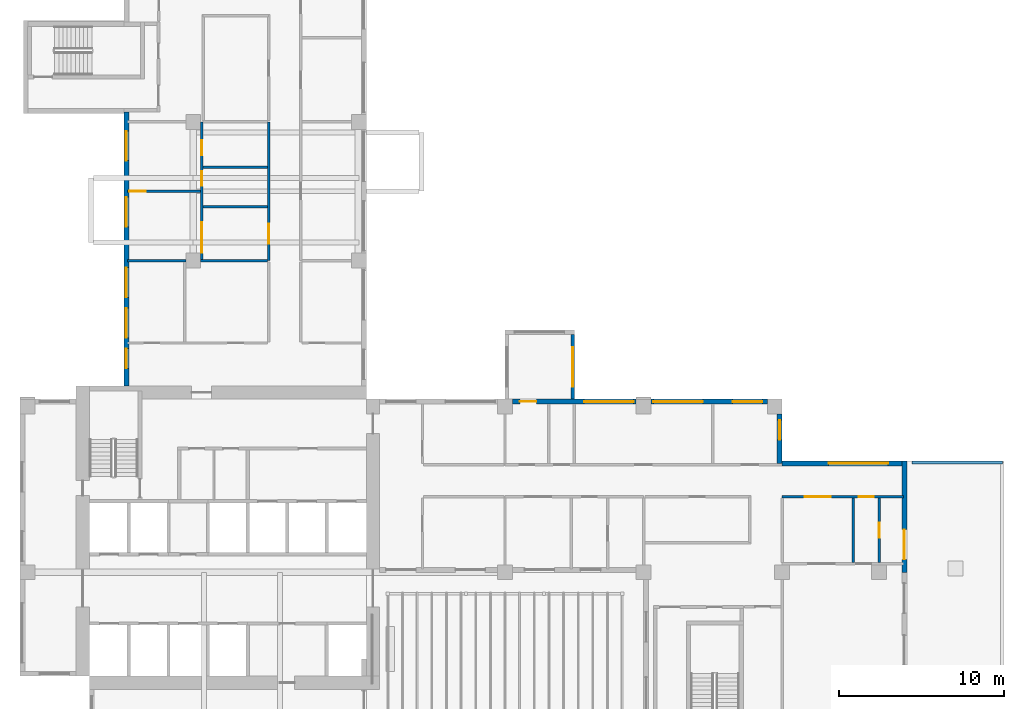
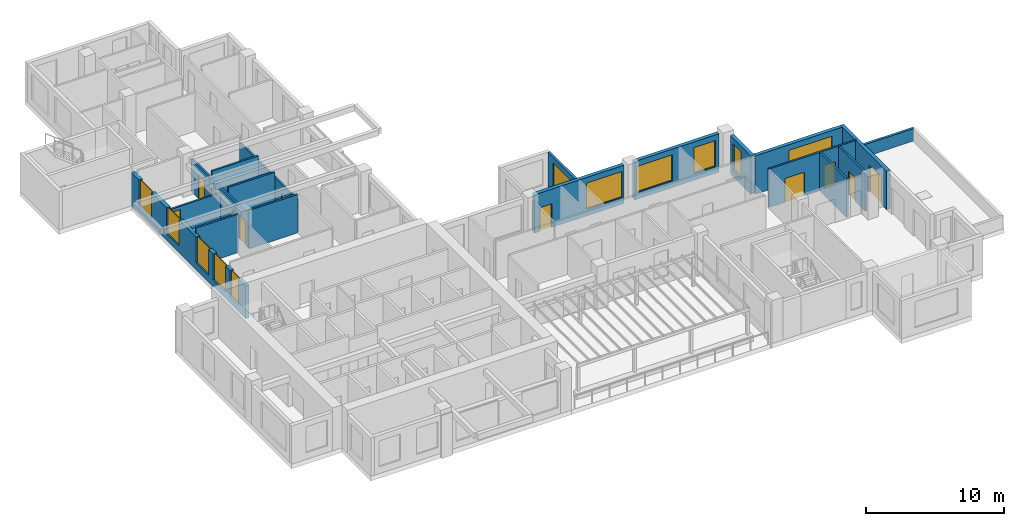
# One storey, part 7 of 13: 18 walls, 11 doors, 11 windows, 22 openings.
"""IFC4 building model written with IfcOpenShell, lengths in metres."""

from ifc_helpers import new_model, si_unit, direction, frame, frame_2d, origin, place, context, subcontext, project, spatial, rectangle, extrude, source, transform, mapped, material, layer, layer_set, type_object, element, fill, save


model = new_model("IFC4")

# Units and contexts
model_context = context("Model", 3, precision=1e-05, world=origin(), true_north=direction((0.0, 1.0)))
body_context = subcontext(model_context, "Body", "Model", "MODEL_VIEW")
ifc_project = project(units=[si_unit("LENGTHUNIT", "METRE"), si_unit("AREAUNIT", "SQUARE_METRE"), si_unit("VOLUMEUNIT", "CUBIC_METRE"), si_unit("PLANEANGLEUNIT", "RADIAN"), si_unit("MASSUNIT", "GRAM", prefix="KILO")], contexts=[model_context])

# Site, building, storey
site_placement = place(None, origin())
site = spatial("IfcSite", under=ifc_project, at=site_placement, CompositionType="ELEMENT")
building_placement = place(site_placement, origin())
building = spatial("IfcBuilding", under=site, at=building_placement, Name="Aurelian Terraces", CompositionType="ELEMENT")
storey_placement = place(building_placement, frame((0.0, 0.0, 204.4)))
storey = spatial("IfcBuildingStorey", under=building, at=storey_placement, Name="L45", CompositionType="ELEMENT", Elevation=204.4)

# Wall, opening, window
ifc_material_1 = material(Name="Terracotta rainscreen cladding", Category="masonry")
ifc_layer_1 = layer(ifc_material_1, 0.3)
ifc_layer_set_1 = layer_set([ifc_layer_1], Name="EW-300")
wall_type_1 = type_object("IfcWallType", Name="EW-300", PredefinedType="STANDARD", material=ifc_layer_set_1)
wall_1_placement = place(storey_placement, frame((53.76, 17.1, 0.0), z_axis=(0.0, 0.0, 1.0), x_axis=(-1.0, 0.0, 0.0)))
wall_1 = element("IfcWall", 1, at=wall_1_placement, inside=storey, type_object=wall_type_1, Name="External wall L45 F09.15", PredefinedType="STANDARD", context=body_context, shape_type="SweptSolid", body=[
    extrude(rectangle(XDim=7.56, YDim=0.3, at=frame_2d((3.78, 0.0))), origin(), (0.0, 0.0, 1.0), 3.4),
])
shared_shape_1 = source(origin(), body_context, "Body", "SweptSolid", [
    extrude(rectangle(XDim=3.6, YDim=2.3, at=frame_2d((1.8, 1.15))), frame((0.0, 0.16, 0.0), z_axis=(0.0, -1.0, 0.0), x_axis=(1.0, 0.0, 0.0)), (0.0, 0.0, 1.0), 0.32),
])
opening_1_placement = place(wall_1_placement, frame((1.14, 0.0, 0.6)))
opening_1 = element("IfcOpeningElement", 2, at=opening_1_placement, cuts=wall_1, Name="Opening W3623", PredefinedType="OPENING", context=body_context, shape_type="MappedRepresentation", body=[
    mapped(shared_shape_1, transform((0.0, 0.0, 0.0), scale=1.0)),
])
ifc_material_2 = material(Name="Clear glazing", Category="glass")
window_type_1 = type_object("IfcWindowType", Name="W-3600x2300", PartitioningType="SINGLE_PANEL", PredefinedType="WINDOW", material=ifc_material_2)
shared_shape_2 = source(origin(), body_context, "Body", "SweptSolid", [
    extrude(rectangle(XDim=3.6, YDim=2.3, at=frame_2d((1.8, 1.15))), frame((0.0, 0.03, 0.0), z_axis=(0.0, -1.0, 0.0), x_axis=(1.0, 0.0, 0.0)), (0.0, 0.0, 1.0), 0.06),
])
window_1_placement = place(opening_1_placement, origin())
window_1 = element("IfcWindow", 3, at=window_1_placement, inside=storey, type_object=window_type_1, Name="Window L45 L45-F09-15-0", OverallHeight=2.3, OverallWidth=3.6, PartitioningType="SINGLE_PANEL", PredefinedType="WINDOW", context=body_context, shape_type="MappedRepresentation", body=[
    mapped(shared_shape_2, transform((0.0, 0.0, 0.0), scale=1.0)),
])
fill(opening_1, window_1)

# Wall, openings, windows
wall_2_placement = place(storey_placement, frame((6.45, 38.4, 0.0), z_axis=(0.0, 0.0, 1.0), x_axis=(0.0, -1.0, 0.0)))
wall_2 = element("IfcWall", 4, at=wall_2_placement, inside=storey, type_object=wall_type_1, Name="External wall L45 F20.32", PredefinedType="STANDARD", context=body_context, shape_type="SweptSolid", body=[
    extrude(rectangle(XDim=16.6, YDim=0.3, at=frame_2d((8.3, 0.0))), origin(), (0.0, 0.0, 1.0), 2.9),
])
shared_shape_3 = source(origin(), body_context, "Body", "SweptSolid", [
    extrude(rectangle(XDim=1.8, YDim=2.3, at=frame_2d((0.9, 1.15))), frame((0.0, 0.16, 0.0), z_axis=(0.0, -1.0, 0.0), x_axis=(1.0, 0.0, 0.0)), (0.0, 0.0, 1.0), 0.32),
])
opening_2_placement = place(wall_2_placement, frame((1.15, 0.0, 0.6)))
opening_2 = element("IfcOpeningElement", 5, at=opening_2_placement, cuts=wall_2, Name="Opening W1823", PredefinedType="OPENING", context=body_context, shape_type="MappedRepresentation", body=[
    mapped(shared_shape_3, transform((0.0, 0.0, 0.0), scale=1.0)),
])
opening_3_placement = place(wall_2_placement, frame((5.1625, 0.0, 0.6)))
opening_3 = element("IfcOpeningElement", 6, at=opening_3_placement, cuts=wall_2, Name="Opening W1823", PredefinedType="OPENING", context=body_context, shape_type="MappedRepresentation", body=[
    mapped(shared_shape_3, transform((0.0, 0.0, 0.0), scale=1.0)),
])
opening_4_placement = place(wall_2_placement, frame((9.4375, 0.0, 0.6)))
opening_4 = element("IfcOpeningElement", 7, at=opening_4_placement, cuts=wall_2, Name="Opening W1823", PredefinedType="OPENING", context=body_context, shape_type="MappedRepresentation", body=[
    mapped(shared_shape_3, transform((0.0, 0.0, 0.0), scale=1.0)),
])
shared_shape_4 = source(origin(), body_context, "Body", "SweptSolid", [
    extrude(rectangle(XDim=1.2, YDim=2.3, at=frame_2d((0.6, 1.15))), frame((0.0, 0.16, 0.0), z_axis=(0.0, -1.0, 0.0), x_axis=(1.0, 0.0, 0.0)), (0.0, 0.0, 1.0), 0.32),
])
opening_5_placement = place(wall_2_placement, frame((14.3375, 0.0, 0.6)))
opening_5 = element("IfcOpeningElement", 8, at=opening_5_placement, cuts=wall_2, Name="Opening W1223", PredefinedType="OPENING", context=body_context, shape_type="MappedRepresentation", body=[
    mapped(shared_shape_4, transform((0.0, 0.0, 0.0), scale=1.0)),
])
opening_6_placement = place(wall_2_placement, frame((11.8875, 0.0, 0.6)))
opening_6 = element("IfcOpeningElement", 9, at=opening_6_placement, cuts=wall_2, Name="Opening W1823", PredefinedType="OPENING", context=body_context, shape_type="MappedRepresentation", body=[
    mapped(shared_shape_3, transform((0.0, 0.0, 0.0), scale=1.0)),
])
window_type_2 = type_object("IfcWindowType", Name="W-1200x2300", PartitioningType="SINGLE_PANEL", PredefinedType="WINDOW", material=ifc_material_2)
shared_shape_5 = source(origin(), body_context, "Body", "SweptSolid", [
    extrude(rectangle(XDim=1.2, YDim=2.3, at=frame_2d((0.6, 1.15))), frame((0.0, 0.03, 0.0), z_axis=(0.0, -1.0, 0.0), x_axis=(1.0, 0.0, 0.0)), (0.0, 0.0, 1.0), 0.06),
])
window_2_placement = place(opening_5_placement, origin())
window_2 = element("IfcWindow", 10, at=window_2_placement, inside=storey, type_object=window_type_2, Name="Window L45 L45-F20-32-3", OverallHeight=2.3, OverallWidth=1.2, PartitioningType="SINGLE_PANEL", PredefinedType="WINDOW", context=body_context, shape_type="MappedRepresentation", body=[
    mapped(shared_shape_5, transform((0.0, 0.0, 0.0), scale=1.0)),
])
fill(opening_5, window_2)
window_type_3 = type_object("IfcWindowType", Name="W-1800x2300", PartitioningType="SINGLE_PANEL", PredefinedType="WINDOW", material=ifc_material_2)
shared_shape_6 = source(origin(), body_context, "Body", "SweptSolid", [
    extrude(rectangle(XDim=1.8, YDim=2.3, at=frame_2d((0.9, 1.15))), frame((0.0, 0.03, 0.0), z_axis=(0.0, -1.0, 0.0), x_axis=(1.0, 0.0, 0.0)), (0.0, 0.0, 1.0), 0.06),
])
window_3_placement = place(opening_2_placement, origin())
window_3 = element("IfcWindow", 11, at=window_3_placement, inside=storey, type_object=window_type_3, Name="Window L45 L45-F20-32-0", OverallHeight=2.3, OverallWidth=1.8, PartitioningType="SINGLE_PANEL", PredefinedType="WINDOW", context=body_context, shape_type="MappedRepresentation", body=[
    mapped(shared_shape_6, transform((0.0, 0.0, 0.0), scale=1.0)),
])
fill(opening_2, window_3)
window_4_placement = place(opening_3_placement, origin())
window_4 = element("IfcWindow", 12, at=window_4_placement, inside=storey, type_object=window_type_3, Name="Window L45 L45-F20-32-1", OverallHeight=2.3, OverallWidth=1.8, PartitioningType="SINGLE_PANEL", PredefinedType="WINDOW", context=body_context, shape_type="MappedRepresentation", body=[
    mapped(shared_shape_6, transform((0.0, 0.0, 0.0), scale=1.0)),
])
fill(opening_3, window_4)
window_5_placement = place(opening_4_placement, origin())
window_5 = element("IfcWindow", 13, at=window_5_placement, inside=storey, type_object=window_type_3, Name="Window L45 L45-F20-32-2", OverallHeight=2.3, OverallWidth=1.8, PartitioningType="SINGLE_PANEL", PredefinedType="WINDOW", context=body_context, shape_type="MappedRepresentation", body=[
    mapped(shared_shape_6, transform((0.0, 0.0, 0.0), scale=1.0)),
])
fill(opening_4, window_5)
window_6_placement = place(opening_6_placement, origin())
window_6 = element("IfcWindow", 14, at=window_6_placement, inside=storey, type_object=window_type_3, Name="Window L45 L45-F20-32-G0-111", OverallHeight=2.3, OverallWidth=1.8, PartitioningType="SINGLE_PANEL", PredefinedType="WINDOW", context=body_context, shape_type="MappedRepresentation", body=[
    mapped(shared_shape_6, transform((0.0, 0.0, 0.0), scale=1.0)),
])
fill(opening_6, window_6)

# Wall, opening, door
ifc_material_3 = material(Name="Gypsum board on steel studs", Category="steel")
ifc_layer_2 = layer(ifc_material_3, 0.15)
ifc_layer_set_2 = layer_set([ifc_layer_2], Name="Partition 150")
wall_type_2 = type_object("IfcWallType", Name="Partition 150", PredefinedType="PARTITIONING", material=ifc_layer_set_2)
wall_3_placement = place(storey_placement, frame((10.95, 33.6, 0.0), z_axis=(0.0, 0.0, 1.0), x_axis=(-1.0, 0.0, 0.0)))
wall_3 = element("IfcWall", 15, at=wall_3_placement, inside=storey, type_object=wall_type_2, Name="Partition", PredefinedType="PARTITIONING", context=body_context, shape_type="SweptSolid", body=[
    extrude(rectangle(XDim=4.445, YDim=0.15, at=frame_2d((2.2225, 0.0))), origin(), (0.0, 0.0, 1.0), 2.4),
])
shared_shape_7 = source(origin(), body_context, "Body", "SweptSolid", [
    extrude(rectangle(XDim=1.0, YDim=2.1, at=frame_2d((0.5, 1.05))), frame((0.0, 0.085, 0.0), z_axis=(0.0, -1.0, 0.0), x_axis=(1.0, 0.0, 0.0)), (0.0, 0.0, 1.0), 0.17),
])
opening_7_placement = place(wall_3_placement, frame((3.325, 0.0, 0.0)))
opening_7 = element("IfcOpeningElement", 16, at=opening_7_placement, cuts=wall_3, Name="Opening 745023", PredefinedType="OPENING", context=body_context, shape_type="MappedRepresentation", body=[
    mapped(shared_shape_7, transform((0.0, 0.0, 0.0), scale=1.0)),
])
ifc_material_4 = material(Name="Timber door leaf", Category="wood")
door_type_1 = type_object("IfcDoorType", Name="Room door 1000x2100 right", OperationType="SINGLE_SWING_RIGHT", PredefinedType="DOOR", material=ifc_material_4)
shared_shape_8 = source(origin(), body_context, "Body", "SweptSolid", [
    extrude(rectangle(XDim=1.0, YDim=2.1, at=frame_2d((0.5, 1.05))), frame((0.0, 0.025, 0.0), z_axis=(0.0, -1.0, 0.0), x_axis=(1.0, 0.0, 0.0)), (0.0, 0.0, 1.0), 0.05),
])
door_1_placement = place(opening_7_placement, origin())
door_1 = element("IfcDoor", 17, at=door_1_placement, inside=storey, type_object=door_type_1, Name="Door 745023", OperationType="SINGLE_SWING_RIGHT", OverallHeight=2.1, OverallWidth=1.0, PredefinedType="DOOR", context=body_context, shape_type="MappedRepresentation", body=[
    mapped(shared_shape_8, transform((0.0, 0.0, 0.0), scale=1.0)),
])
fill(opening_7, door_1)

# Wall
ifc_layer_3 = layer(ifc_material_1, 0.2)
ifc_layer_set_3 = layer_set([ifc_layer_3], Name="PARAPET-200")
wall_type_3 = type_object("IfcWallType", Name="PARAPET-200", PredefinedType="PARAPET", material=ifc_layer_set_3)
shared_shape_9 = source(origin(), body_context, "Body", "SweptSolid", [
    extrude(rectangle(XDim=5.49, YDim=0.2, at=frame_2d((2.745, 0.0))), origin(), (0.0, 0.0, 1.0), 1.1),
])
wall_4_placement = place(storey_placement, frame((54.06, 17.16, 0.0), z_axis=(0.0, 0.0, 1.0), x_axis=(1.0, 0.0, 0.0)))
element("IfcWall", 18, at=wall_4_placement, inside=storey, type_object=wall_type_3, Name="Parapet L45 L45-X1", PredefinedType="PARAPET", context=body_context, shape_type="MappedRepresentation", body=[
    mapped(shared_shape_9, transform((0.0, 0.0, 0.0), scale=1.0)),
])

# Wall, openings, window, door
shared_shape_10 = source(origin(), body_context, "Body", "SweptSolid", [
    extrude(rectangle(XDim=7.5, YDim=0.3, at=frame_2d((3.75, 0.0))), origin(), (0.0, 0.0, 1.0), 3.4),
])
wall_5_placement = place(storey_placement, frame((37.35, 20.85, 0.0), z_axis=(0.0, 0.0, 1.0), x_axis=(-1.0, 0.0, 0.0)))
wall_5 = element("IfcWall", 19, at=wall_5_placement, inside=storey, type_object=wall_type_1, Name="External wall L45 F11.18", PredefinedType="STANDARD", context=body_context, shape_type="MappedRepresentation", body=[
    mapped(shared_shape_10, transform((0.0, 0.0, 0.0), scale=1.0)),
])
shared_shape_11 = source(origin(), body_context, "Body", "SweptSolid", [
    extrude(rectangle(XDim=3.0, YDim=2.3, at=frame_2d((1.5, 1.15))), frame((0.0, 0.16, 0.0), z_axis=(0.0, -1.0, 0.0), x_axis=(1.0, 0.0, 0.0)), (0.0, 0.0, 1.0), 0.32),
])
opening_8_placement = place(wall_5_placement, frame((0.15, 0.0, 0.6)))
opening_8 = element("IfcOpeningElement", 20, at=opening_8_placement, cuts=wall_5, Name="Opening W3023", PredefinedType="OPENING", context=body_context, shape_type="MappedRepresentation", body=[
    mapped(shared_shape_11, transform((0.0, 0.0, 0.0), scale=1.0)),
])
shared_shape_12 = source(origin(), body_context, "Body", "SweptSolid", [
    extrude(rectangle(XDim=1.0, YDim=2.1, at=frame_2d((0.5, 1.05))), frame((0.0, 0.16, 0.0), z_axis=(0.0, -1.0, 0.0), x_axis=(1.0, 0.0, 0.0)), (0.0, 0.0, 1.0), 0.32),
])
opening_9_placement = place(wall_5_placement, frame((6.05, 0.0, 0.0)))
opening_9 = element("IfcOpeningElement", 21, at=opening_9_placement, cuts=wall_5, Name="Opening 845002", PredefinedType="OPENING", context=body_context, shape_type="MappedRepresentation", body=[
    mapped(shared_shape_12, transform((0.0, 0.0, 0.0), scale=1.0)),
])
window_type_4 = type_object("IfcWindowType", Name="W-3000x2300", PartitioningType="SINGLE_PANEL", PredefinedType="WINDOW", material=ifc_material_2)
shared_shape_13 = source(origin(), body_context, "Body", "SweptSolid", [
    extrude(rectangle(XDim=3.0, YDim=2.3, at=frame_2d((1.5, 1.15))), frame((0.0, 0.03, 0.0), z_axis=(0.0, -1.0, 0.0), x_axis=(1.0, 0.0, 0.0)), (0.0, 0.0, 1.0), 0.06),
])
window_7_placement = place(opening_8_placement, origin())
window_7 = element("IfcWindow", 22, at=window_7_placement, inside=storey, type_object=window_type_4, Name="Window L45 L45-F11-18-0", OverallHeight=2.3, OverallWidth=3.0, PartitioningType="SINGLE_PANEL", PredefinedType="WINDOW", context=body_context, shape_type="MappedRepresentation", body=[
    mapped(shared_shape_13, transform((0.0, 0.0, 0.0), scale=1.0)),
])
fill(opening_8, window_7)
door_type_2 = type_object("IfcDoorType", Name="Room door 1000x2100 left", OperationType="SINGLE_SWING_LEFT", PredefinedType="DOOR", material=ifc_material_4)
door_2_placement = place(opening_9_placement, origin())
door_2 = element("IfcDoor", 23, at=door_2_placement, inside=storey, type_object=door_type_2, Name="Door 845002", OperationType="SINGLE_SWING_LEFT", OverallHeight=2.1, OverallWidth=1.0, PredefinedType="DOOR", context=body_context, shape_type="MappedRepresentation", body=[
    mapped(shared_shape_8, transform((0.0, 0.0, 0.0), scale=1.0)),
])
fill(opening_9, door_2)

# Wall, opening, window
ifc_material_5 = material(Name="Concrete fc' 40 MPa", Category="concrete")
ifc_layer_4 = layer(ifc_material_5, 0.2)
ifc_layer_set_4 = layer_set([ifc_layer_4], Name="BOX BEARING WALL 200")
wall_type_4 = type_object("IfcWallType", Name="BOX BEARING WALL 200", PredefinedType="SOLIDWALL", material=ifc_layer_set_4)
shared_shape_14 = source(origin(), body_context, "Body", "SweptSolid", [
    extrude(rectangle(XDim=3.9, YDim=0.2, at=frame_2d((1.95, 0.0))), origin(), (0.0, 0.0, 1.0), 3.39),
])
wall_6_placement = place(storey_placement, frame((33.5, 21.0, 0.0), z_axis=(0.0, 0.0, 1.0), x_axis=(0.0, 1.0, 0.0)))
wall_6 = element("IfcWall", 24, at=wall_6_placement, inside=storey, type_object=wall_type_4, Name="Box return L45 J63.1", PredefinedType="SOLIDWALL", context=body_context, shape_type="MappedRepresentation", body=[
    mapped(shared_shape_14, transform((0.0, 0.0, 0.0), scale=1.0)),
])
shared_shape_15 = source(origin(), body_context, "Body", "SweptSolid", [
    extrude(rectangle(XDim=2.4, YDim=2.3, at=frame_2d((1.2, 1.15))), frame((0.0, 0.11, 0.0), z_axis=(0.0, -1.0, 0.0), x_axis=(1.0, 0.0, 0.0)), (0.0, 0.0, 1.0), 0.22),
])
opening_10_placement = place(wall_6_placement, frame((0.75, 0.0, 0.6)))
opening_10 = element("IfcOpeningElement", 25, at=opening_10_placement, cuts=wall_6, Name="Opening W2423", PredefinedType="OPENING", context=body_context, shape_type="MappedRepresentation", body=[
    mapped(shared_shape_15, transform((0.0, 0.0, 0.0), scale=1.0)),
])
window_type_5 = type_object("IfcWindowType", Name="W-2400x2300", PartitioningType="SINGLE_PANEL", PredefinedType="WINDOW", material=ifc_material_2)
shared_shape_16 = source(origin(), body_context, "Body", "SweptSolid", [
    extrude(rectangle(XDim=2.4, YDim=2.3, at=frame_2d((1.2, 1.15))), frame((0.0, 0.03, 0.0), z_axis=(0.0, -1.0, 0.0), x_axis=(1.0, 0.0, 0.0)), (0.0, 0.0, 1.0), 0.06),
])
window_8_placement = place(opening_10_placement, origin())
window_8 = element("IfcWindow", 26, at=window_8_placement, inside=storey, type_object=window_type_5, Name="Window L45 J63-S1", OverallHeight=2.3, OverallWidth=2.4, PartitioningType="SINGLE_PANEL", PredefinedType="WINDOW", context=body_context, shape_type="MappedRepresentation", body=[
    mapped(shared_shape_16, transform((0.0, 0.0, 0.0), scale=1.0)),
])
fill(opening_10, window_8)

shared_shape_17 = source(origin(), body_context, "Body", "SweptSolid", [
    extrude(rectangle(XDim=3.0, YDim=0.3, at=frame_2d((1.5, 0.0))), origin(), (0.0, 0.0, 1.0), 3.4),
])
wall_7_placement = place(storey_placement, frame((46.05, 17.1, 0.0), z_axis=(0.0, 0.0, 1.0), x_axis=(0.0, 1.0, 0.0)))
wall_7 = element("IfcWall", 27, at=wall_7_placement, inside=storey, type_object=wall_type_1, Name="External wall L45 F10.16", PredefinedType="STANDARD", context=body_context, shape_type="MappedRepresentation", body=[
    mapped(shared_shape_17, transform((0.0, 0.0, 0.0), scale=1.0)),
])
opening_11_placement = place(wall_7_placement, frame((1.425, 0.0, 0.6)))
opening_11 = element("IfcOpeningElement", 28, at=opening_11_placement, cuts=wall_7, Name="Opening W1223", PredefinedType="OPENING", context=body_context, shape_type="MappedRepresentation", body=[
    mapped(shared_shape_4, transform((0.0, 0.0, 0.0), scale=1.0)),
])
window_9_placement = place(opening_11_placement, origin())
window_9 = element("IfcWindow", 29, at=window_9_placement, inside=storey, type_object=window_type_2, Name="Window L45 L45-F10-16-0", OverallHeight=2.3, OverallWidth=1.2, PartitioningType="SINGLE_PANEL", PredefinedType="WINDOW", context=body_context, shape_type="MappedRepresentation", body=[
    mapped(shared_shape_5, transform((0.0, 0.0, 0.0), scale=1.0)),
])
fill(opening_11, window_9)

# Wall, openings, windows
shared_shape_18 = source(origin(), body_context, "Body", "SweptSolid", [
    extrude(rectangle(XDim=7.05, YDim=0.3, at=frame_2d((3.525, 0.0))), origin(), (0.0, 0.0, 1.0), 3.4),
])
wall_8_placement = place(storey_placement, frame((45.3, 20.85, 0.0), z_axis=(0.0, 0.0, 1.0), x_axis=(-1.0, 0.0, 0.0)))
wall_8 = element("IfcWall", 30, at=wall_8_placement, inside=storey, type_object=wall_type_1, Name="External wall L45 F11.17", PredefinedType="STANDARD", context=body_context, shape_type="MappedRepresentation", body=[
    mapped(shared_shape_18, transform((0.0, 0.0, 0.0), scale=1.0)),
])
opening_12_placement = place(wall_8_placement, frame((0.3, 0.0, 0.6)))
opening_12 = element("IfcOpeningElement", 31, at=opening_12_placement, cuts=wall_8, Name="Opening W1823", PredefinedType="OPENING", context=body_context, shape_type="MappedRepresentation", body=[
    mapped(shared_shape_3, transform((0.0, 0.0, 0.0), scale=1.0)),
])
opening_13_placement = place(wall_8_placement, frame((3.9, 0.0, 0.6)))
opening_13 = element("IfcOpeningElement", 32, at=opening_13_placement, cuts=wall_8, Name="Opening W3023", PredefinedType="OPENING", context=body_context, shape_type="MappedRepresentation", body=[
    mapped(shared_shape_11, transform((0.0, 0.0, 0.0), scale=1.0)),
])
window_10_placement = place(opening_13_placement, origin())
window_10 = element("IfcWindow", 33, at=window_10_placement, inside=storey, type_object=window_type_4, Name="Window L45 L45-F11-17-1", OverallHeight=2.3, OverallWidth=3.0, PartitioningType="SINGLE_PANEL", PredefinedType="WINDOW", context=body_context, shape_type="MappedRepresentation", body=[
    mapped(shared_shape_13, transform((0.0, 0.0, 0.0), scale=1.0)),
])
fill(opening_13, window_10)
window_11_placement = place(opening_12_placement, origin())
window_11 = element("IfcWindow", 34, at=window_11_placement, inside=storey, type_object=window_type_3, Name="Window L45 L45-F11-17-0", OverallHeight=2.3, OverallWidth=1.8, PartitioningType="SINGLE_PANEL", PredefinedType="WINDOW", context=body_context, shape_type="MappedRepresentation", body=[
    mapped(shared_shape_6, transform((0.0, 0.0, 0.0), scale=1.0)),
])
fill(opening_12, window_11)

# Wall, opening, door
shared_shape_19 = source(origin(), body_context, "Body", "SweptSolid", [
    extrude(rectangle(XDim=6.75, YDim=0.3, at=frame_2d((3.375, 0.0))), origin(), (0.0, 0.0, 1.0), 3.4),
])
wall_9_placement = place(storey_placement, frame((53.61, 10.5, 0.0), z_axis=(0.0, 0.0, 1.0), x_axis=(0.0, 1.0, 0.0)))
wall_9 = element("IfcWall", 35, at=wall_9_placement, inside=storey, type_object=wall_type_1, Name="External wall L45 F08.14", PredefinedType="STANDARD", context=body_context, shape_type="MappedRepresentation", body=[
    mapped(shared_shape_19, transform((0.0, 0.0, 0.0), scale=1.0)),
])
shared_shape_20 = source(origin(), body_context, "Body", "SweptSolid", [
    extrude(rectangle(XDim=1.8, YDim=2.4, at=frame_2d((0.9, 1.2))), frame((0.0, 0.16, 0.0), z_axis=(0.0, -1.0, 0.0), x_axis=(1.0, 0.0, 0.0)), (0.0, 0.0, 1.0), 0.32),
])
opening_14_placement = place(wall_9_placement, frame((0.7875, 0.0, 0.0)))
opening_14 = element("IfcOpeningElement", 36, at=opening_14_placement, cuts=wall_9, Name="Opening 84507", PredefinedType="OPENING", context=body_context, shape_type="MappedRepresentation", body=[
    mapped(shared_shape_20, transform((0.0, 0.0, 0.0), scale=1.0)),
])
door_type_3 = type_object("IfcDoorType", Name="BD-1800x2400", OperationType="SLIDING_TO_LEFT", PredefinedType="DOOR", material=ifc_material_2)
shared_shape_21 = source(origin(), body_context, "Body", "SweptSolid", [
    extrude(rectangle(XDim=1.8, YDim=2.4, at=frame_2d((0.9, 1.2))), frame((0.0, 0.025, 0.0), z_axis=(0.0, -1.0, 0.0), x_axis=(1.0, 0.0, 0.0)), (0.0, 0.0, 1.0), 0.05),
])
door_3_placement = place(opening_14_placement, origin())
door_3 = element("IfcDoor", 37, at=door_3_placement, inside=storey, type_object=door_type_3, Name="Terrace door L45 L45-F08-14.1", OperationType="SLIDING_TO_LEFT", OverallHeight=2.4, OverallWidth=1.8, PredefinedType="DOOR", context=body_context, shape_type="MappedRepresentation", body=[
    mapped(shared_shape_21, transform((0.0, 0.0, 0.0), scale=1.0)),
])
fill(opening_14, door_3)

# Wall
shared_shape_22 = source(origin(), body_context, "Body", "SweptSolid", [
    extrude(rectangle(XDim=3.9, YDim=0.15, at=frame_2d((1.95, 0.0))), origin(), (0.0, 0.0, 1.0), 3.4),
])
wall_10_placement = place(storey_placement, frame((50.5166, 11.1, 0.0), z_axis=(0.0, 0.0, 1.0), x_axis=(0.0, 1.0, 0.0)))
element("IfcWall", 38, at=wall_10_placement, inside=storey, type_object=wall_type_2, Name="Partition", PredefinedType="PARTITIONING", context=body_context, shape_type="MappedRepresentation", body=[
    mapped(shared_shape_22, transform((0.0, 0.0, 0.0), scale=1.0)),
])

# Wall, opening, door
wall_11_placement = place(storey_placement, frame((52.08, 11.1, 0.0), z_axis=(0.0, 0.0, 1.0), x_axis=(0.0, 1.0, 0.0)))
wall_11 = element("IfcWall", 39, at=wall_11_placement, inside=storey, type_object=wall_type_2, Name="Partition", PredefinedType="PARTITIONING", context=body_context, shape_type="MappedRepresentation", body=[
    mapped(shared_shape_22, transform((0.0, 0.0, 0.0), scale=1.0)),
])
shared_shape_23 = source(origin(), body_context, "Body", "SweptSolid", [
    extrude(rectangle(XDim=0.9, YDim=2.1, at=frame_2d((0.45, 1.05))), frame((0.0, 0.085, 0.0), z_axis=(0.0, -1.0, 0.0), x_axis=(1.0, 0.0, 0.0)), (0.0, 0.0, 1.0), 0.17),
])
opening_15_placement = place(wall_11_placement, frame((1.5, 0.0, 0.0)))
opening_15 = element("IfcOpeningElement", 40, at=opening_15_placement, cuts=wall_11, Name="Opening 745035", PredefinedType="OPENING", context=body_context, shape_type="MappedRepresentation", body=[
    mapped(shared_shape_23, transform((0.0, 0.0, 0.0), scale=1.0)),
])
door_type_4 = type_object("IfcDoorType", Name="Room door 900x2100 left", OperationType="SINGLE_SWING_LEFT", PredefinedType="DOOR", material=ifc_material_4)
shared_shape_24 = source(origin(), body_context, "Body", "SweptSolid", [
    extrude(rectangle(XDim=0.9, YDim=2.1, at=frame_2d((0.45, 1.05))), frame((0.0, 0.025, 0.0), z_axis=(0.0, -1.0, 0.0), x_axis=(1.0, 0.0, 0.0)), (0.0, 0.0, 1.0), 0.05),
])
door_4_placement = place(opening_15_placement, origin())
door_4 = element("IfcDoor", 41, at=door_4_placement, inside=storey, type_object=door_type_4, Name="Door 745035", OperationType="SINGLE_SWING_LEFT", OverallHeight=2.1, OverallWidth=0.9, PredefinedType="DOOR", context=body_context, shape_type="MappedRepresentation", body=[
    mapped(shared_shape_24, transform((0.0, 0.0, 0.0), scale=1.0)),
])
fill(opening_15, door_4)

# Walls
for number, where, z_axis, x_axis, name in (
    (42, (15.0, 32.6603, 0.0), (0.0, 0.0, 1.0), (-1.0, 0.0, 0.0), "Partition"),
    (43, (15.0, 35.0493, 0.0), (0.0, 0.0, 1.0), (-1.0, 0.0, 0.0), "Partition"),
):
    element("IfcWall", number, at=place(storey_placement, frame(where, z_axis=z_axis, x_axis=x_axis)), inside=storey, type_object=wall_type_2, Name=name, PredefinedType="PARTITIONING", context=body_context, shape_type="MappedRepresentation", body=[
        mapped(shared_shape_22, transform((0.0, 0.0, 0.0), scale=1.0)),
    ])
shared_shape_25 = source(origin(), body_context, "Body", "SweptSolid", [
    extrude(rectangle(XDim=4.051, YDim=0.15, at=frame_2d((2.0255, 0.0))), origin(), (0.0, 0.0, 1.0), 3.4),
])
wall_12_placement = place(storey_placement, frame((15.0, 29.4, 0.0), z_axis=(0.0, 0.0, 1.0), x_axis=(-1.0, 0.0, 0.0)))
element("IfcWall", 44, at=wall_12_placement, inside=storey, type_object=wall_type_2, Name="Partition", PredefinedType="PARTITIONING", context=body_context, shape_type="MappedRepresentation", body=[
    mapped(shared_shape_25, transform((0.0, 0.0, 0.0), scale=1.0)),
])
shared_shape_26 = source(origin(), body_context, "Body", "SweptSolid", [
    extrude(rectangle(XDim=3.546, YDim=0.15, at=frame_2d((1.773, 0.0))), origin(), (0.0, 0.0, 1.0), 3.4),
])
wall_13_placement = place(storey_placement, frame((10.051, 29.4, 0.0), z_axis=(0.0, 0.0, 1.0), x_axis=(-1.0, 0.0, 0.0)))
element("IfcWall", 45, at=wall_13_placement, inside=storey, type_object=wall_type_2, Name="Partition", PredefinedType="PARTITIONING", context=body_context, shape_type="MappedRepresentation", body=[
    mapped(shared_shape_26, transform((0.0, 0.0, 0.0), scale=1.0)),
])

# Wall, openings, doors
shared_shape_27 = source(origin(), body_context, "Body", "SweptSolid", [
    extrude(rectangle(XDim=8.4, YDim=0.15, at=frame_2d((4.2, 0.0))), origin(), (0.0, 0.0, 1.0), 2.9),
])
wall_14_placement = place(storey_placement, frame((11.025, 29.4, 0.0), z_axis=(0.0, 0.0, 1.0), x_axis=(0.0, 1.0, 0.0)))
wall_14 = element("IfcWall", 46, at=wall_14_placement, inside=storey, type_object=wall_type_2, Name="Partition", PredefinedType="PARTITIONING", context=body_context, shape_type="MappedRepresentation", body=[
    mapped(shared_shape_27, transform((0.0, 0.0, 0.0), scale=1.0)),
])
opening_16_placement = place(wall_14_placement, frame((1.418, 0.0, 0.0)))
opening_16 = element("IfcOpeningElement", 47, at=opening_16_placement, cuts=wall_14, Name="Opening 745021", PredefinedType="OPENING", context=body_context, shape_type="MappedRepresentation", body=[
    mapped(shared_shape_23, transform((0.0, 0.0, 0.0), scale=1.0)),
])
opening_17_placement = place(wall_14_placement, frame((0.46, 0.0, 0.0)))
opening_17 = element("IfcOpeningElement", 48, at=opening_17_placement, cuts=wall_14, Name="Opening 745022", PredefinedType="OPENING", context=body_context, shape_type="MappedRepresentation", body=[
    mapped(shared_shape_23, transform((0.0, 0.0, 0.0), scale=1.0)),
])
opening_18_placement = place(wall_14_placement, frame((4.5247, 0.0, 0.0)))
opening_18 = element("IfcOpeningElement", 49, at=opening_18_placement, cuts=wall_14, Name="Opening 745024", PredefinedType="OPENING", context=body_context, shape_type="MappedRepresentation", body=[
    mapped(shared_shape_23, transform((0.0, 0.0, 0.0), scale=1.0)),
])
opening_19_placement = place(wall_14_placement, frame((6.3872, 0.0, 0.0)))
opening_19 = element("IfcOpeningElement", 50, at=opening_19_placement, cuts=wall_14, Name="Opening 745025", PredefinedType="OPENING", context=body_context, shape_type="MappedRepresentation", body=[
    mapped(shared_shape_23, transform((0.0, 0.0, 0.0), scale=1.0)),
])
door_type_5 = type_object("IfcDoorType", Name="Room door 900x2100 right", OperationType="SINGLE_SWING_RIGHT", PredefinedType="DOOR", material=ifc_material_4)
door_5_placement = place(opening_16_placement, origin())
door_5 = element("IfcDoor", 51, at=door_5_placement, inside=storey, type_object=door_type_5, Name="Door 745021", OperationType="SINGLE_SWING_RIGHT", OverallHeight=2.1, OverallWidth=0.9, PredefinedType="DOOR", context=body_context, shape_type="MappedRepresentation", body=[
    mapped(shared_shape_24, transform((0.0, 0.0, 0.0), scale=1.0)),
])
fill(opening_16, door_5)
door_6_placement = place(opening_17_placement, origin())
door_6 = element("IfcDoor", 52, at=door_6_placement, inside=storey, type_object=door_type_4, Name="Door 745022", OperationType="SINGLE_SWING_LEFT", OverallHeight=2.1, OverallWidth=0.9, PredefinedType="DOOR", context=body_context, shape_type="MappedRepresentation", body=[
    mapped(shared_shape_24, transform((0.0, 0.0, 0.0), scale=1.0)),
])
fill(opening_17, door_6)
door_7_placement = place(opening_18_placement, origin())
door_7 = element("IfcDoor", 53, at=door_7_placement, inside=storey, type_object=door_type_4, Name="Door 745024", OperationType="SINGLE_SWING_LEFT", OverallHeight=2.1, OverallWidth=0.9, PredefinedType="DOOR", context=body_context, shape_type="MappedRepresentation", body=[
    mapped(shared_shape_24, transform((0.0, 0.0, 0.0), scale=1.0)),
])
fill(opening_18, door_7)
door_8_placement = place(opening_19_placement, origin())
door_8 = element("IfcDoor", 54, at=door_8_placement, inside=storey, type_object=door_type_5, Name="Door 745025", OperationType="SINGLE_SWING_RIGHT", OverallHeight=2.1, OverallWidth=0.9, PredefinedType="DOOR", context=body_context, shape_type="MappedRepresentation", body=[
    mapped(shared_shape_24, transform((0.0, 0.0, 0.0), scale=1.0)),
])
fill(opening_19, door_8)

# Wall, opening, door
ifc_layer_5 = layer(ifc_material_3, 0.15)
ifc_layer_set_5 = layer_set([ifc_layer_5], Name="Fire partition 150")
wall_type_5 = type_object("IfcWallType", Name="Fire partition 150", PredefinedType="PARTITIONING", material=ifc_layer_set_5)
wall_15_placement = place(storey_placement, frame((15.075, 29.4, 0.0), z_axis=(0.0, 0.0, 1.0), x_axis=(0.0, 1.0, 0.0)))
wall_15 = element("IfcWall", 55, at=wall_15_placement, inside=storey, type_object=wall_type_5, Name="Corridor wall", PredefinedType="PARTITIONING", context=body_context, shape_type="MappedRepresentation", body=[
    mapped(shared_shape_27, transform((0.0, 0.0, 0.0), scale=1.0)),
])
shared_shape_28 = source(origin(), body_context, "Body", "SweptSolid", [
    extrude(rectangle(XDim=1.2, YDim=2.1, at=frame_2d((0.6, 1.05))), frame((0.0, 0.085, 0.0), z_axis=(0.0, -1.0, 0.0), x_axis=(1.0, 0.0, 0.0)), (0.0, 0.0, 1.0), 0.17),
])
opening_20_placement = place(wall_15_placement, frame((1.0302, 0.0, 0.0)))
opening_20 = element("IfcOpeningElement", 56, at=opening_20_placement, cuts=wall_15, Name="Opening 745020", PredefinedType="OPENING", context=body_context, shape_type="MappedRepresentation", body=[
    mapped(shared_shape_28, transform((0.0, 0.0, 0.0), scale=1.0)),
])
ifc_material_6 = material(Name="Steel door leaf", Category="steel")
door_type_6 = type_object("IfcDoorType", Name="Entrance fire door 1200x2100 left", OperationType="SINGLE_SWING_LEFT", PredefinedType="DOOR", material=ifc_material_6)
shared_shape_29 = source(origin(), body_context, "Body", "SweptSolid", [
    extrude(rectangle(XDim=1.2, YDim=2.1, at=frame_2d((0.6, 1.05))), frame((0.0, 0.025, 0.0), z_axis=(0.0, -1.0, 0.0), x_axis=(1.0, 0.0, 0.0)), (0.0, 0.0, 1.0), 0.05),
])
door_9_placement = place(opening_20_placement, origin())
door_9 = element("IfcDoor", 57, at=door_9_placement, inside=storey, type_object=door_type_6, Name="Door 745020", OperationType="SINGLE_SWING_LEFT", OverallHeight=2.1, OverallWidth=1.2, PredefinedType="DOOR", context=body_context, shape_type="MappedRepresentation", body=[
    mapped(shared_shape_29, transform((0.0, 0.0, 0.0), scale=1.0)),
])
fill(opening_20, door_9)

# Wall, openings, doors
shared_shape_30 = source(origin(), body_context, "Body", "SweptSolid", [
    extrude(rectangle(XDim=7.355, YDim=0.15, at=frame_2d((3.6775, 0.0))), origin(), (0.0, 0.0, 1.0), 3.4),
])
wall_16_placement = place(storey_placement, frame((53.555, 15.075, 0.0), z_axis=(0.0, 0.0, 1.0), x_axis=(-1.0, 0.0, 0.0)))
wall_16 = element("IfcWall", 58, at=wall_16_placement, inside=storey, type_object=wall_type_5, Name="Corridor wall", PredefinedType="PARTITIONING", context=body_context, shape_type="MappedRepresentation", body=[
    mapped(shared_shape_30, transform((0.0, 0.0, 0.0), scale=1.0)),
])
shared_shape_31 = source(origin(), body_context, "Body", "SweptSolid", [
    extrude(rectangle(XDim=1.6, YDim=2.1, at=frame_2d((0.8, 1.05))), frame((0.0, 0.085, 0.0), z_axis=(0.0, -1.0, 0.0), x_axis=(1.0, 0.0, 0.0)), (0.0, 0.0, 1.0), 0.17),
])
opening_21_placement = place(wall_16_placement, frame((4.3967, 0.0, 0.0)))
opening_21 = element("IfcOpeningElement", 59, at=opening_21_placement, cuts=wall_16, Name="Opening 745007", PredefinedType="OPENING", context=body_context, shape_type="MappedRepresentation", body=[
    mapped(shared_shape_31, transform((0.0, 0.0, 0.0), scale=1.0)),
])
opening_22_placement = place(wall_16_placement, frame((1.8067, 0.0, 0.0)))
opening_22 = element("IfcOpeningElement", 60, at=opening_22_placement, cuts=wall_16, Name="Opening 745010", PredefinedType="OPENING", context=body_context, shape_type="MappedRepresentation", body=[
    mapped(shared_shape_23, transform((0.0, 0.0, 0.0), scale=1.0)),
])
door_type_7 = type_object("IfcDoorType", Name="Entrance fire door 900x2100 left", OperationType="SINGLE_SWING_LEFT", PredefinedType="DOOR", material=ifc_material_6)
door_10_placement = place(opening_22_placement, origin())
door_10 = element("IfcDoor", 61, at=door_10_placement, inside=storey, type_object=door_type_7, Name="Door 745010", OperationType="SINGLE_SWING_LEFT", OverallHeight=2.1, OverallWidth=0.9, PredefinedType="DOOR", context=body_context, shape_type="MappedRepresentation", body=[
    mapped(shared_shape_24, transform((0.0, 0.0, 0.0), scale=1.0)),
])
fill(opening_22, door_10)
door_type_8 = type_object("IfcDoorType", Name="Entrance fire door 1600x2100 left", OperationType="SINGLE_SWING_LEFT", PredefinedType="DOOR", material=ifc_material_6)
shared_shape_32 = source(origin(), body_context, "Body", "SweptSolid", [
    extrude(rectangle(XDim=1.6, YDim=2.1, at=frame_2d((0.8, 1.05))), frame((0.0, 0.025, 0.0), z_axis=(0.0, -1.0, 0.0), x_axis=(1.0, 0.0, 0.0)), (0.0, 0.0, 1.0), 0.05),
])
door_11_placement = place(opening_21_placement, origin())
door_11 = element("IfcDoor", 62, at=door_11_placement, inside=storey, type_object=door_type_8, Name="Door 745007", OperationType="SINGLE_SWING_LEFT", OverallHeight=2.1, OverallWidth=1.6, PredefinedType="DOOR", context=body_context, shape_type="MappedRepresentation", body=[
    mapped(shared_shape_32, transform((0.0, 0.0, 0.0), scale=1.0)),
])
fill(opening_21, door_11)

save(model, "model.ifc")
